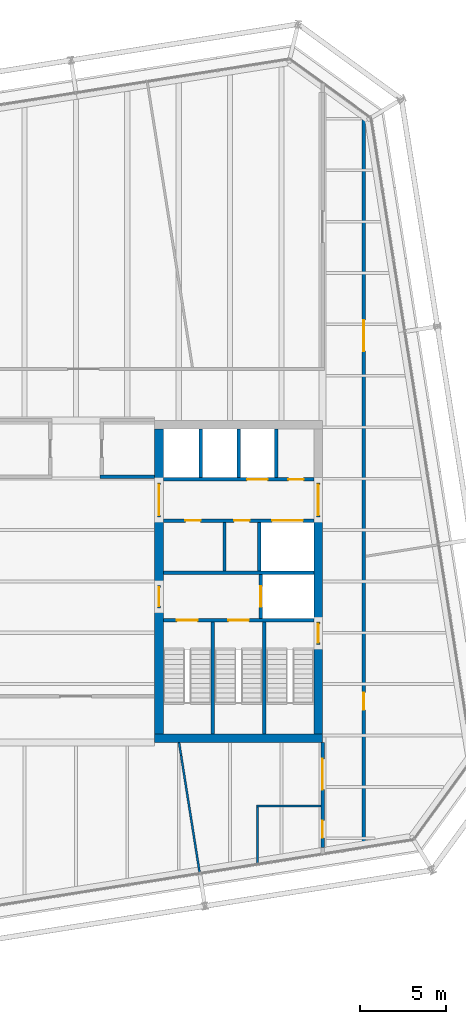
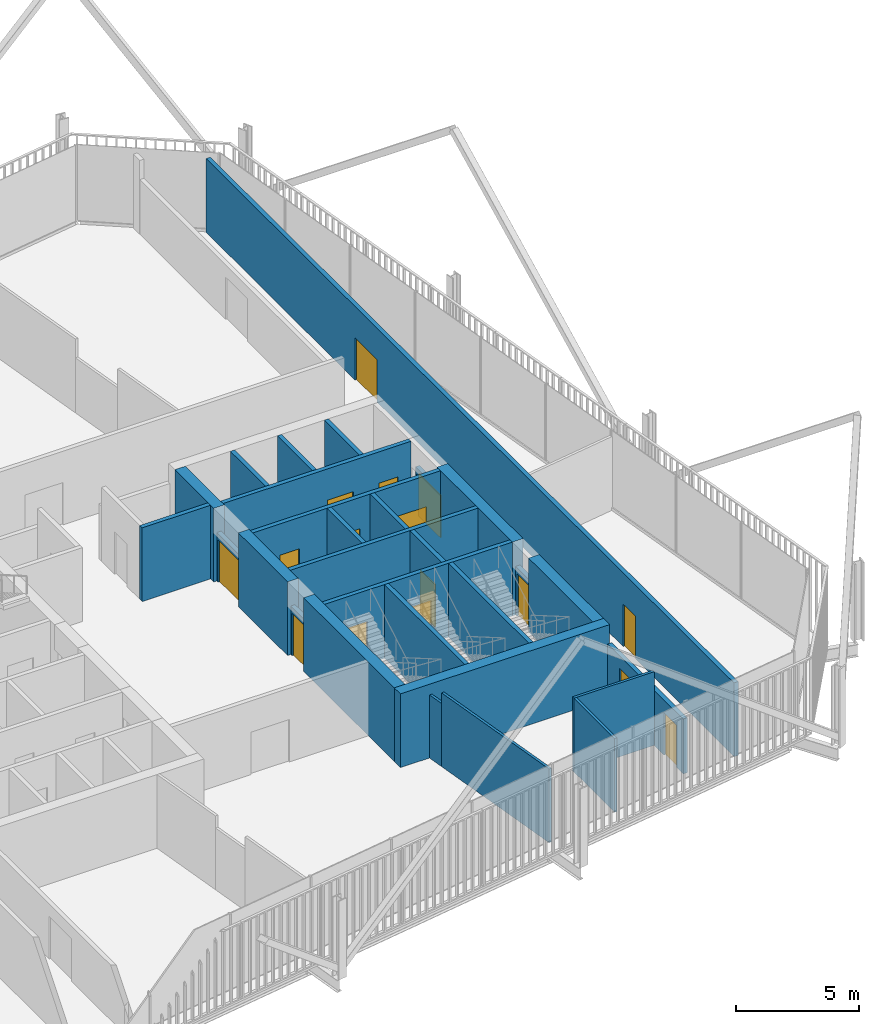
# One storey, part 18 of 21: 29 walls, 16 doors, 16 openings.
"""IFC4 building model written with IfcOpenShell, lengths in metres."""

from ifc_helpers import new_model, si_unit, direction, frame, frame_2d, origin, place, context, subcontext, project, spatial, rectangle, extrude, material, layer, layer_set, type_object, element, fill, save


model = new_model("IFC4")

# Units and contexts
model_context = context("Model", 3, precision=1e-05, world=origin(), true_north=direction((0.0, 1.0)))
body_context = subcontext(model_context, "Body", "Model", "MODEL_VIEW")
ifc_project = project(units=[si_unit("LENGTHUNIT", "METRE"), si_unit("AREAUNIT", "SQUARE_METRE"), si_unit("VOLUMEUNIT", "CUBIC_METRE"), si_unit("PLANEANGLEUNIT", "RADIAN"), si_unit("MASSUNIT", "GRAM", prefix="KILO")], contexts=[model_context])

# Site, building, storey
site_placement = place(None, origin())
site = spatial("IfcSite", under=ifc_project, at=site_placement, CompositionType="ELEMENT")
building_placement = place(site_placement, origin())
building = spatial("IfcBuilding", under=site, at=building_placement, Name="Millrace Tower", CompositionType="ELEMENT")
storey_placement = place(building_placement, frame((0.0, 0.0, 235.89990234375)))
storey = spatial("IfcBuildingStorey", under=building, at=storey_placement, Name="L54", CompositionType="ELEMENT", Elevation=235.89990234375)

# Walls
ifc_material_1 = material(Name="Concrete C60", Category="concrete")
ifc_layer_1 = layer(ifc_material_1, 0.5)
ifc_layer_set_1 = layer_set([ifc_layer_1], Name="Concrete C60")
wall_type_1 = type_object("IfcWallType", Name="Core wall 500 Concrete C60", PredefinedType="SHEAR", material=ifc_layer_set_1)
wall_1_placement = place(storey_placement, frame((14.39990234375, -9.14990234375, 0.0), z_axis=(0.0, 0.0, 1.0), x_axis=(-1.0, 0.0, 0.0)))
element("IfcWall", 1, at=wall_1_placement, inside=storey, type_object=wall_type_1, Name="Core wall E L54", PredefinedType="SHEAR", context=body_context, shape_type="SweptSolid", body=[
    extrude(rectangle(XDim=9.7998046875, YDim=0.5, at=frame_2d((4.89990234375, 0.0))), origin(), (0.0, 0.0, 1.0), 3.650146484375),
])
wall_2_placement = place(storey_placement, frame((14.14990234375, 3.75, 0.0), z_axis=(0.0, 0.0, 1.0), x_axis=(0.0, -1.0, 0.0)))
element("IfcWall", 2, at=wall_2_placement, inside=storey, type_object=wall_type_1, Name="Core wall E L54", PredefinedType="SHEAR", context=body_context, shape_type="SweptSolid", body=[
    extrude(rectangle(XDim=6.1298828125, YDim=0.5, at=frame_2d((3.06494140625, 0.0))), origin(), (0.0, 0.0, 1.0), 3.650146484375),
])
wall_3_placement = place(storey_placement, frame((14.14990234375, -3.679931640625, 0.0), z_axis=(0.0, 0.0, 1.0), x_axis=(0.0, -1.0, 0.0)))
element("IfcWall", 3, at=wall_3_placement, inside=storey, type_object=wall_type_1, Name="Core wall E L54", PredefinedType="SHEAR", context=body_context, shape_type="SweptSolid", body=[
    extrude(rectangle(XDim=5.219970703125, YDim=0.5, at=frame_2d((2.60986328125, 0.0))), origin(), (0.0, 0.0, 1.0), 3.650146484375),
])
wall_4_placement = place(storey_placement, frame((4.85009765625, 8.89990234375, 0.0), z_axis=(0.0, 0.0, 1.0), x_axis=(0.0, -1.0, 0.0)))
element("IfcWall", 4, at=wall_4_placement, inside=storey, type_object=wall_type_1, Name="Core wall E L54", PredefinedType="SHEAR", context=body_context, shape_type="SweptSolid", body=[
    extrude(rectangle(XDim=3.14990234375, YDim=0.5, at=frame_2d((1.574951171875, 0.0))), origin(), (0.0, 0.0, 1.0), 3.650146484375),
])
wall_5_placement = place(storey_placement, frame((4.85009765625, 3.75, 0.0), z_axis=(0.0, 0.0, 1.0), x_axis=(0.0, -1.0, 0.0)))
element("IfcWall", 5, at=wall_5_placement, inside=storey, type_object=wall_type_1, Name="Core wall E L54", PredefinedType="SHEAR", context=body_context, shape_type="SweptSolid", body=[
    extrude(rectangle(XDim=4.0, YDim=0.5, at=frame_2d((2.0, 0.0))), origin(), (0.0, 0.0, 1.0), 3.650146484375),
])
wall_6_placement = place(storey_placement, frame((4.85009765625, -1.550048828125, 0.0), z_axis=(0.0, 0.0, 1.0), x_axis=(0.0, -1.0, 0.0)))
element("IfcWall", 6, at=wall_6_placement, inside=storey, type_object=wall_type_1, Name="Core wall E L54", PredefinedType="SHEAR", context=body_context, shape_type="SweptSolid", body=[
    extrude(rectangle(XDim=7.349853515625, YDim=0.5, at=frame_2d((3.6748046875, 0.0))), origin(), (0.0, 0.0, 1.0), 3.650146484375),
])
ifc_material_2 = material(Name="Masonry partition, fire-rated", Category="masonry")
ifc_layer_2 = layer(ifc_material_2, 0.199951171875)
ifc_layer_set_2 = layer_set([ifc_layer_2], Name="Masonry partition, fire-rated")
wall_type_2 = type_object("IfcWallType", Name="Corridor wall 200", PredefinedType="PARTITIONING", material=ifc_layer_set_2)
wall_7_placement = place(storey_placement, frame((1.39990234375, 6.10009765625, 0.0), z_axis=(0.0, 0.0, 1.0), x_axis=(1.0, 0.0, 0.0)))
element("IfcWall", 7, at=wall_7_placement, inside=storey, type_object=wall_type_2, Name="Corridor wall L54", PredefinedType="PARTITIONING", context=body_context, shape_type="SweptSolid", body=[
    extrude(rectangle(XDim=3.2001953125, YDim=0.199951171875, at=frame_2d((1.60009765625, 0.0))), origin(), (0.0, 0.0, 1.0), 3.650146484375),
])

# Wall, openings, doors
wall_8_placement = place(storey_placement, frame((16.800048828125, -15.494384765625, 0.0), z_axis=(0.0, 0.0, 1.0), x_axis=(0.0, 1.0, 0.0)))
wall_8 = element("IfcWall", 8, at=wall_8_placement, inside=storey, type_object=wall_type_2, Name="Corridor wall L54", PredefinedType="PARTITIONING", context=body_context, shape_type="SweptSolid", body=[
    extrude(rectangle(XDim=42.80859375, YDim=0.199951171875, at=frame_2d((21.404296875, 0.0))), origin(), (0.0, 0.0, 1.0), 3.650146484375),
])
opening_1_placement = place(wall_8_placement, frame((7.994384765625, 0.0, 0.0)))
opening_1 = element("IfcOpeningElement", 9, at=opening_1_placement, cuts=wall_8, Name="Opening 54-P010", PredefinedType="OPENING", context=body_context, shape_type="SweptSolid", body=[
    extrude(rectangle(XDim=1.0, YDim=2.10009765625, at=frame_2d((0.5, 1.050048828125))), frame((0.0, 0.10986328125, 0.0), z_axis=(0.0, -1.0, 0.0), x_axis=(1.0, 0.0, 0.0)), (0.0, 0.0, 1.0), 0.219970703125),
])
opening_2_placement = place(wall_8_placement, frame((28.9423828125, 0.0, 0.0)))
opening_2 = element("IfcOpeningElement", 10, at=opening_2_placement, cuts=wall_8, Name="Opening 54-P011", PredefinedType="OPENING", context=body_context, shape_type="SweptSolid", body=[
    extrude(rectangle(XDim=1.800048828125, YDim=2.10009765625, at=frame_2d((0.89990234375, 1.050048828125))), frame((0.0, 0.10986328125, 0.0), z_axis=(0.0, -1.0, 0.0), x_axis=(1.0, 0.0, 0.0)), (0.0, 0.0, 1.0), 0.219970703125),
])
ifc_material_3 = material(Name="Steel door set, fire-rated", Category="steel")
door_type_1 = type_object("IfcDoorType", Name="Corridor door 1000 x 2100", OperationType="SINGLE_SWING_LEFT", PredefinedType="DOOR", material=ifc_material_3)
door_1_placement = place(opening_1_placement, frame((1.0, 0.0, 0.0), z_axis=(0.0, 0.0, 1.0), x_axis=(-1.0, 0.0, 0.0)))
door_1 = element("IfcDoor", 11, at=door_1_placement, inside=storey, type_object=door_type_1, Name="Door 54-P010", OperationType="SINGLE_SWING_RIGHT", OverallHeight=2.10009765625, OverallWidth=1.0, PredefinedType="DOOR", context=body_context, shape_type="SweptSolid", body=[
    extrude(rectangle(XDim=1.0, YDim=2.10009765625, at=frame_2d((0.5, 1.050048828125))), frame((0.0, 0.02490234375, 0.0), z_axis=(0.0, -1.0, 0.0), x_axis=(1.0, 0.0, 0.0)), (0.0, 0.0, 1.0), 0.050048828125),
])
fill(opening_1, door_1)
ifc_material_4 = material(Name="Steel door set, fire-rated", Category="steel")
door_type_2 = type_object("IfcDoorType", Name="Corridor door 1800 x 2100", OperationType="DOUBLE_DOOR_SINGLE_SWING", PredefinedType="DOOR", material=ifc_material_4)
door_2_placement = place(opening_2_placement, frame((1.800048828125, 0.0, 0.0), z_axis=(0.0, 0.0, 1.0), x_axis=(-1.0, 0.0, 0.0)))
door_2 = element("IfcDoor", 12, at=door_2_placement, inside=storey, type_object=door_type_2, Name="Door 54-P011", OperationType="DOUBLE_DOOR_SINGLE_SWING", OverallHeight=2.10009765625, OverallWidth=1.800048828125, PredefinedType="DOOR", context=body_context, shape_type="SweptSolid", body=[
    extrude(rectangle(XDim=1.800048828125, YDim=2.10009765625, at=frame_2d((0.89990234375, 1.050048828125))), frame((0.0, 0.02490234375, 0.0), z_axis=(0.0, -1.0, 0.0), x_axis=(1.0, 0.0, 0.0)), (0.0, 0.0, 1.0), 0.050048828125),
])
fill(opening_2, door_2)

wall_9_placement = place(storey_placement, frame((14.39990234375, -15.52490234375, 0.0), z_axis=(0.0, 0.0, 1.0), x_axis=(0.0, 1.0, 0.0)))
wall_9 = element("IfcWall", 13, at=wall_9_placement, inside=storey, type_object=wall_type_2, Name="Corridor wall L54", PredefinedType="PARTITIONING", context=body_context, shape_type="SweptSolid", body=[
    extrude(rectangle(XDim=6.125, YDim=0.199951171875, at=frame_2d((3.0625, 0.0))), origin(), (0.0, 0.0, 1.0), 2.722900390625),
])
opening_3_placement = place(wall_9_placement, frame((3.363037109375, 0.0, 0.0)))
opening_3 = element("IfcOpeningElement", 14, at=opening_3_placement, cuts=wall_9, Name="Opening 54-P014", PredefinedType="OPENING", context=body_context, shape_type="SweptSolid", body=[
    extrude(rectangle(XDim=1.800048828125, YDim=2.10009765625, at=frame_2d((0.89990234375, 1.050048828125))), frame((0.0, 0.10986328125, 0.0), z_axis=(0.0, -1.0, 0.0), x_axis=(1.0, 0.0, 0.0)), (0.0, 0.0, 1.0), 0.219970703125),
])
opening_4_placement = place(wall_9_placement, frame((0.551025390625, 0.0, 0.0)))
opening_4 = element("IfcOpeningElement", 15, at=opening_4_placement, cuts=wall_9, Name="Opening 54-P015", PredefinedType="OPENING", context=body_context, shape_type="SweptSolid", body=[
    extrude(rectangle(XDim=1.0, YDim=2.10009765625, at=frame_2d((0.5, 1.050048828125))), frame((0.0, 0.10986328125, 0.0), z_axis=(0.0, -1.0, 0.0), x_axis=(1.0, 0.0, 0.0)), (0.0, 0.0, 1.0), 0.219970703125),
])
door_3_placement = place(opening_4_placement, origin())
door_3 = element("IfcDoor", 16, at=door_3_placement, inside=storey, type_object=door_type_1, Name="Door 54-P015", OperationType="SINGLE_SWING_LEFT", OverallHeight=2.10009765625, OverallWidth=1.0, PredefinedType="DOOR", context=body_context, shape_type="SweptSolid", body=[
    extrude(rectangle(XDim=1.0, YDim=2.10009765625, at=frame_2d((0.5, 1.050048828125))), frame((0.0, 0.02490234375, 0.0), z_axis=(0.0, -1.0, 0.0), x_axis=(1.0, 0.0, 0.0)), (0.0, 0.0, 1.0), 0.050048828125),
])
fill(opening_4, door_3)
door_4_placement = place(opening_3_placement, origin())
door_4 = element("IfcDoor", 17, at=door_4_placement, inside=storey, type_object=door_type_2, Name="Door 54-P014", OperationType="DOUBLE_DOOR_SINGLE_SWING", OverallHeight=2.10009765625, OverallWidth=1.800048828125, PredefinedType="DOOR", context=body_context, shape_type="SweptSolid", body=[
    extrude(rectangle(XDim=1.800048828125, YDim=2.10009765625, at=frame_2d((0.89990234375, 1.050048828125))), frame((0.0, 0.02490234375, 0.0), z_axis=(0.0, -1.0, 0.0), x_axis=(1.0, 0.0, 0.0)), (0.0, 0.0, 1.0), 0.050048828125),
])
fill(opening_3, door_4)

ifc_material_5 = material(Name="Masonry partition, fire-rated", Category="masonry")
ifc_layer_3 = layer(ifc_material_5, 0.199951171875)
ifc_layer_set_3 = layer_set([ifc_layer_3], Name="Masonry partition, fire-rated")
wall_type_3 = type_object("IfcWallType", Name="Lift shaft wall 200", PredefinedType="PARTITIONING", material=ifc_layer_set_3)
wall_10_placement = place(storey_placement, frame((13.89990234375, 5.949951171875, 0.0), z_axis=(0.0, 0.0, 1.0), x_axis=(-1.0, 0.0, 0.0)))
wall_10 = element("IfcWall", 18, at=wall_10_placement, inside=storey, type_object=wall_type_3, Name="Lift shaft wall E L54", PredefinedType="PARTITIONING", context=body_context, shape_type="SweptSolid", body=[
    extrude(rectangle(XDim=8.7998046875, YDim=0.199951171875, at=frame_2d((4.39990234375, 0.0))), origin(), (0.0, 0.0, 1.0), 3.650146484375),
])
opening_5_placement = place(wall_10_placement, frame((2.699951171875, 0.0, 0.0)))
opening_5 = element("IfcOpeningElement", 19, at=opening_5_placement, cuts=wall_10, Name="Opening 54-LD10", PredefinedType="OPENING", context=body_context, shape_type="SweptSolid", body=[
    extrude(rectangle(XDim=1.199951171875, YDim=2.10009765625, at=frame_2d((0.60009765625, 1.050048828125))), frame((0.0, 0.10986328125, 0.0), z_axis=(0.0, -1.0, 0.0), x_axis=(1.0, 0.0, 0.0)), (0.0, 0.0, 1.0), 0.219970703125),
])
opening_6_placement = place(wall_10_placement, frame((0.60009765625, 0.0, 0.0)))
opening_6 = element("IfcOpeningElement", 20, at=opening_6_placement, cuts=wall_10, Name="Opening 54-C014", PredefinedType="OPENING", context=body_context, shape_type="SweptSolid", body=[
    extrude(rectangle(XDim=0.89990234375, YDim=2.10009765625, at=frame_2d((0.449951171875, 1.050048828125))), frame((0.0, 0.10986328125, 0.0), z_axis=(0.0, -1.0, 0.0), x_axis=(1.0, 0.0, 0.0)), (0.0, 0.0, 1.0), 0.219970703125),
])
ifc_material_6 = material(Name="Stainless steel, fire-rated", Category="steel")
door_type_3 = type_object("IfcDoorType", Name="Lift landing door 1200 x 2100", OperationType="DOUBLE_DOOR_SLIDING", PredefinedType="DOOR", material=ifc_material_6)
door_5_placement = place(opening_5_placement, origin())
door_5 = element("IfcDoor", 21, at=door_5_placement, inside=storey, type_object=door_type_3, Name="Lift landing door LF10 L54", OperationType="DOUBLE_DOOR_SLIDING", OverallHeight=2.10009765625, OverallWidth=1.199951171875, PredefinedType="DOOR", context=body_context, shape_type="SweptSolid", body=[
    extrude(rectangle(XDim=1.199951171875, YDim=2.10009765625, at=frame_2d((0.60009765625, 1.050048828125))), frame((0.0, 0.02490234375, 0.0), z_axis=(0.0, -1.0, 0.0), x_axis=(1.0, 0.0, 0.0)), (0.0, 0.0, 1.0), 0.050048828125),
])
fill(opening_5, door_5)
ifc_material_7 = material(Name="Steel door, fire-rated", Category="steel")
door_type_4 = type_object("IfcDoorType", Name="Service room door 900 x 2100", OperationType="SINGLE_SWING_LEFT", PredefinedType="DOOR", material=ifc_material_7)
door_6_placement = place(opening_6_placement, frame((0.89990234375, 0.0, 0.0), z_axis=(0.0, 0.0, 1.0), x_axis=(-1.0, 0.0, 0.0)))
door_6 = element("IfcDoor", 22, at=door_6_placement, inside=storey, type_object=door_type_4, Name="Service room door 54-C014", OperationType="SINGLE_SWING_RIGHT", OverallHeight=2.10009765625, OverallWidth=0.89990234375, PredefinedType="DOOR", context=body_context, shape_type="SweptSolid", body=[
    extrude(rectangle(XDim=0.89990234375, YDim=2.10009765625, at=frame_2d((0.449951171875, 1.050048828125))), frame((0.0, 0.02490234375, 0.0), z_axis=(0.0, -1.0, 0.0), x_axis=(1.0, 0.0, 0.0)), (0.0, 0.0, 1.0), 0.050048828125),
])
fill(opening_6, door_6)

wall_11_placement = place(storey_placement, frame((13.89990234375, 3.550048828125, 0.0), z_axis=(0.0, 0.0, 1.0), x_axis=(-1.0, 0.0, 0.0)))
wall_11 = element("IfcWall", 23, at=wall_11_placement, inside=storey, type_object=wall_type_3, Name="Lift shaft wall E L54", PredefinedType="PARTITIONING", context=body_context, shape_type="SweptSolid", body=[
    extrude(rectangle(XDim=8.7998046875, YDim=0.199951171875, at=frame_2d((4.39990234375, 0.0))), origin(), (0.0, 0.0, 1.0), 3.650146484375),
])
opening_7_placement = place(wall_11_placement, frame((0.64990234375, 0.0, 0.0)))
opening_7 = element("IfcOpeningElement", 24, at=opening_7_placement, cuts=wall_11, Name="Opening 54-LD13", PredefinedType="OPENING", context=body_context, shape_type="SweptSolid", body=[
    extrude(rectangle(XDim=1.800048828125, YDim=2.10009765625, at=frame_2d((0.89990234375, 1.050048828125))), frame((0.0, 0.10986328125, 0.0), z_axis=(0.0, -1.0, 0.0), x_axis=(1.0, 0.0, 0.0)), (0.0, 0.0, 1.0), 0.219970703125),
])
opening_8_placement = place(wall_11_placement, frame((3.762451171875, 0.0, 0.0)))
opening_8 = element("IfcOpeningElement", 25, at=opening_8_placement, cuts=wall_11, Name="Opening 54-C015", PredefinedType="OPENING", context=body_context, shape_type="SweptSolid", body=[
    extrude(rectangle(XDim=0.89990234375, YDim=2.10009765625, at=frame_2d((0.449951171875, 1.050048828125))), frame((0.0, 0.10986328125, 0.0), z_axis=(0.0, -1.0, 0.0), x_axis=(1.0, 0.0, 0.0)), (0.0, 0.0, 1.0), 0.219970703125),
])
opening_9_placement = place(wall_11_placement, frame((6.612548828125, 0.0, 0.0)))
opening_9 = element("IfcOpeningElement", 26, at=opening_9_placement, cuts=wall_11, Name="Opening 54-C016", PredefinedType="OPENING", context=body_context, shape_type="SweptSolid", body=[
    extrude(rectangle(XDim=0.89990234375, YDim=2.10009765625, at=frame_2d((0.449951171875, 1.050048828125))), frame((0.0, 0.10986328125, 0.0), z_axis=(0.0, -1.0, 0.0), x_axis=(1.0, 0.0, 0.0)), (0.0, 0.0, 1.0), 0.219970703125),
])
ifc_material_8 = material(Name="Stainless steel, fire-rated", Category="steel")
door_type_5 = type_object("IfcDoorType", Name="Lift landing door 1800 x 2100", OperationType="DOUBLE_DOOR_SLIDING", PredefinedType="DOOR", material=ifc_material_8)
door_7_placement = place(opening_7_placement, origin())
door_7 = element("IfcDoor", 27, at=door_7_placement, inside=storey, type_object=door_type_5, Name="Lift landing door LF13 L54", OperationType="DOUBLE_DOOR_SLIDING", OverallHeight=2.10009765625, OverallWidth=1.800048828125, PredefinedType="DOOR", context=body_context, shape_type="SweptSolid", body=[
    extrude(rectangle(XDim=1.800048828125, YDim=2.10009765625, at=frame_2d((0.89990234375, 1.050048828125))), frame((0.0, 0.02490234375, 0.0), z_axis=(0.0, -1.0, 0.0), x_axis=(1.0, 0.0, 0.0)), (0.0, 0.0, 1.0), 0.050048828125),
])
fill(opening_7, door_7)
door_8_placement = place(opening_8_placement, origin())
door_8 = element("IfcDoor", 28, at=door_8_placement, inside=storey, type_object=door_type_4, Name="Service room door 54-C015", OperationType="SINGLE_SWING_LEFT", OverallHeight=2.10009765625, OverallWidth=0.89990234375, PredefinedType="DOOR", context=body_context, shape_type="SweptSolid", body=[
    extrude(rectangle(XDim=0.89990234375, YDim=2.10009765625, at=frame_2d((0.449951171875, 1.050048828125))), frame((0.0, 0.02490234375, 0.0), z_axis=(0.0, -1.0, 0.0), x_axis=(1.0, 0.0, 0.0)), (0.0, 0.0, 1.0), 0.050048828125),
])
fill(opening_8, door_8)
door_9_placement = place(opening_9_placement, origin())
door_9 = element("IfcDoor", 29, at=door_9_placement, inside=storey, type_object=door_type_4, Name="Service room door 54-C016", OperationType="SINGLE_SWING_RIGHT", OverallHeight=2.10009765625, OverallWidth=0.89990234375, PredefinedType="DOOR", context=body_context, shape_type="SweptSolid", body=[
    extrude(rectangle(XDim=0.89990234375, YDim=2.10009765625, at=frame_2d((0.449951171875, 1.050048828125))), frame((0.0, 0.02490234375, 0.0), z_axis=(0.0, -1.0, 0.0), x_axis=(1.0, 0.0, 0.0)), (0.0, 0.0, 1.0), 0.050048828125),
])
fill(opening_9, door_9)

# Wall
wall_12_placement = place(storey_placement, frame((13.89990234375, 0.5, 0.0), z_axis=(0.0, 0.0, 1.0), x_axis=(-1.0, 0.0, 0.0)))
element("IfcWall", 30, at=wall_12_placement, inside=storey, type_object=wall_type_3, Name="Lift shaft wall E L54", PredefinedType="PARTITIONING", context=body_context, shape_type="SweptSolid", body=[
    extrude(rectangle(XDim=8.7998046875, YDim=0.199951171875, at=frame_2d((4.39990234375, 0.0))), origin(), (0.0, 0.0, 1.0), 3.650146484375),
])

# Wall, opening, door
wall_13_placement = place(storey_placement, frame((10.800048828125, 0.39990234375, 0.0), z_axis=(0.0, 0.0, 1.0), x_axis=(0.0, -1.0, 0.0)))
wall_13 = element("IfcWall", 31, at=wall_13_placement, inside=storey, type_object=wall_type_3, Name="Lift shaft wall E L54", PredefinedType="PARTITIONING", context=body_context, shape_type="SweptSolid", body=[
    extrude(rectangle(XDim=2.579833984375, YDim=0.199951171875, at=frame_2d((1.2900390625, 0.0))), origin(), (0.0, 0.0, 1.0), 3.650146484375),
])
opening_10_placement = place(wall_13_placement, frame((0.68994140625, 0.0, 0.0)))
opening_10 = element("IfcOpeningElement", 32, at=opening_10_placement, cuts=wall_13, Name="Opening 54-LD16", PredefinedType="OPENING", context=body_context, shape_type="SweptSolid", body=[
    extrude(rectangle(XDim=1.199951171875, YDim=2.10009765625, at=frame_2d((0.60009765625, 1.050048828125))), frame((0.0, 0.10986328125, 0.0), z_axis=(0.0, -1.0, 0.0), x_axis=(1.0, 0.0, 0.0)), (0.0, 0.0, 1.0), 0.219970703125),
])
door_10_placement = place(opening_10_placement, origin())
door_10 = element("IfcDoor", 33, at=door_10_placement, inside=storey, type_object=door_type_3, Name="Lift landing door LF16 L54", OperationType="DOUBLE_DOOR_SLIDING", OverallHeight=2.10009765625, OverallWidth=1.199951171875, PredefinedType="DOOR", context=body_context, shape_type="SweptSolid", body=[
    extrude(rectangle(XDim=1.199951171875, YDim=2.10009765625, at=frame_2d((0.60009765625, 1.050048828125))), frame((0.0, 0.02490234375, 0.0), z_axis=(0.0, -1.0, 0.0), x_axis=(1.0, 0.0, 0.0)), (0.0, 0.0, 1.0), 0.050048828125),
])
fill(opening_10, door_10)

# Walls
for number, where, z_axis, x_axis, name in (
    (34, (11.699951171875, 8.89990234375, 0.0), (0.0, 0.0, 1.0), (0.0, -1.0, 0.0), "Lift shaft wall E L54"),
    (35, (9.5, 8.89990234375, 0.0), (0.0, 0.0, 1.0), (0.0, -1.0, 0.0), "Lift shaft wall E L54"),
    (36, (7.300048828125, 8.89990234375, 0.0), (0.0, 0.0, 1.0), (0.0, -1.0, 0.0), "Lift shaft wall E L54"),
    (37, (10.699951171875, 3.449951171875, 0.0), (0.0, 0.0, 1.0), (0.0, -1.0, 0.0), "Lift shaft wall E L54"),
):
    element("IfcWall", number, at=place(storey_placement, frame(where, z_axis=z_axis, x_axis=x_axis)), inside=storey, type_object=wall_type_3, Name=name, PredefinedType="PARTITIONING", context=body_context, shape_type="SweptSolid", body=[
        extrude(rectangle(XDim=2.849853515625, YDim=0.199951171875, at=frame_2d((1.4248046875, 0.0))), origin(), (0.0, 0.0, 1.0), 3.650146484375),
    ])

# Wall, opening, door
ifc_material_9 = material(Name="Masonry partition, fire-rated", Category="masonry")
ifc_layer_4 = layer(ifc_material_9, 0.199951171875)
ifc_layer_set_4 = layer_set([ifc_layer_4], Name="Masonry partition, fire-rated")
wall_type_4 = type_object("IfcWallType", Name="Lobby wall 200", PredefinedType="PARTITIONING", material=ifc_layer_set_4)
wall_14_placement = place(storey_placement, frame((14.14990234375, 5.75, 0.0), z_axis=(0.0, 0.0, 1.0), x_axis=(0.0, -1.0, 0.0)))
wall_14 = element("IfcWall", 38, at=wall_14_placement, inside=storey, type_object=wall_type_4, Name="Lobby wall E L54", PredefinedType="PARTITIONING", context=body_context, shape_type="SweptSolid", body=[
    extrude(rectangle(XDim=2.0, YDim=0.199951171875, at=frame_2d((1.0, 0.0))), origin(), (0.0, 0.0, 1.0), 2.400146484375),
])
opening_11_placement = place(wall_14_placement, frame((0.10009765625, 0.0, 0.0)))
opening_11 = element("IfcOpeningElement", 39, at=opening_11_placement, cuts=wall_14, Name="Opening 54-C010", PredefinedType="OPENING", context=body_context, shape_type="SweptSolid", body=[
    extrude(rectangle(XDim=1.800048828125, YDim=2.10009765625, at=frame_2d((0.89990234375, 1.050048828125))), frame((0.0, 0.10986328125, 0.0), z_axis=(0.0, -1.0, 0.0), x_axis=(1.0, 0.0, 0.0)), (0.0, 0.0, 1.0), 0.219970703125),
])
ifc_material_10 = material(Name="Steel door, fire-rated", Category="steel")
door_type_6 = type_object("IfcDoorType", Name="Lobby door 1800 x 2100", OperationType="DOUBLE_DOOR_SINGLE_SWING", PredefinedType="DOOR", material=ifc_material_10)
door_11_placement = place(opening_11_placement, origin())
door_11 = element("IfcDoor", 40, at=door_11_placement, inside=storey, type_object=door_type_6, Name="Lobby door 54-C010", OperationType="DOUBLE_DOOR_SINGLE_SWING", OverallHeight=2.10009765625, OverallWidth=1.800048828125, PredefinedType="DOOR", context=body_context, shape_type="SweptSolid", body=[
    extrude(rectangle(XDim=1.800048828125, YDim=2.10009765625, at=frame_2d((0.89990234375, 1.050048828125))), frame((0.0, 0.02490234375, 0.0), z_axis=(0.0, -1.0, 0.0), x_axis=(1.0, 0.0, 0.0)), (0.0, 0.0, 1.0), 0.050048828125),
])
fill(opening_11, door_11)

wall_15_placement = place(storey_placement, frame((4.85009765625, 5.75, 0.0), z_axis=(0.0, 0.0, 1.0), x_axis=(0.0, -1.0, 0.0)))
wall_15 = element("IfcWall", 41, at=wall_15_placement, inside=storey, type_object=wall_type_4, Name="Lobby wall E L54", PredefinedType="PARTITIONING", context=body_context, shape_type="SweptSolid", body=[
    extrude(rectangle(XDim=2.0, YDim=0.199951171875, at=frame_2d((1.0, 0.0))), origin(), (0.0, 0.0, 1.0), 2.400146484375),
])
opening_12_placement = place(wall_15_placement, frame((0.10009765625, 0.0, 0.0)))
opening_12 = element("IfcOpeningElement", 42, at=opening_12_placement, cuts=wall_15, Name="Opening 54-C012", PredefinedType="OPENING", context=body_context, shape_type="SweptSolid", body=[
    extrude(rectangle(XDim=1.800048828125, YDim=2.10009765625, at=frame_2d((0.89990234375, 1.050048828125))), frame((0.0, 0.10986328125, 0.0), z_axis=(0.0, -1.0, 0.0), x_axis=(1.0, 0.0, 0.0)), (0.0, 0.0, 1.0), 0.219970703125),
])
door_12_placement = place(opening_12_placement, frame((1.800048828125, 0.0, 0.0), z_axis=(0.0, 0.0, 1.0), x_axis=(-1.0, 0.0, 0.0)))
door_12 = element("IfcDoor", 43, at=door_12_placement, inside=storey, type_object=door_type_6, Name="Lobby door 54-C012", OperationType="DOUBLE_DOOR_SINGLE_SWING", OverallHeight=2.10009765625, OverallWidth=1.800048828125, PredefinedType="DOOR", context=body_context, shape_type="SweptSolid", body=[
    extrude(rectangle(XDim=1.800048828125, YDim=2.10009765625, at=frame_2d((0.89990234375, 1.050048828125))), frame((0.0, 0.02490234375, 0.0), z_axis=(0.0, -1.0, 0.0), x_axis=(1.0, 0.0, 0.0)), (0.0, 0.0, 1.0), 0.050048828125),
])
fill(opening_12, door_12)

wall_16_placement = place(storey_placement, frame((4.85009765625, -0.25, 0.0), z_axis=(0.0, 0.0, 1.0), x_axis=(0.0, -1.0, 0.0)))
wall_16 = element("IfcWall", 44, at=wall_16_placement, inside=storey, type_object=wall_type_4, Name="Lobby wall E L54", PredefinedType="PARTITIONING", context=body_context, shape_type="SweptSolid", body=[
    extrude(rectangle(XDim=1.300048828125, YDim=0.199951171875, at=frame_2d((0.64990234375, 0.0))), origin(), (0.0, 0.0, 1.0), 2.400146484375),
])
opening_13_placement = place(wall_16_placement, frame((0.10009765625, 0.0, 0.0)))
opening_13 = element("IfcOpeningElement", 45, at=opening_13_placement, cuts=wall_16, Name="Opening 54-C013", PredefinedType="OPENING", context=body_context, shape_type="SweptSolid", body=[
    extrude(rectangle(XDim=1.10009765625, YDim=2.10009765625, at=frame_2d((0.550048828125, 1.050048828125))), frame((0.0, 0.10986328125, 0.0), z_axis=(0.0, -1.0, 0.0), x_axis=(1.0, 0.0, 0.0)), (0.0, 0.0, 1.0), 0.219970703125),
])
ifc_material_11 = material(Name="Steel door, fire-rated", Category="steel")
door_type_7 = type_object("IfcDoorType", Name="Lobby door 1100 x 2100", OperationType="SINGLE_SWING_LEFT", PredefinedType="DOOR", material=ifc_material_11)
door_13_placement = place(opening_13_placement, frame((1.10009765625, 0.0, 0.0), z_axis=(0.0, 0.0, 1.0), x_axis=(-1.0, 0.0, 0.0)))
door_13 = element("IfcDoor", 46, at=door_13_placement, inside=storey, type_object=door_type_7, Name="Lobby door 54-C013", OperationType="SINGLE_SWING_RIGHT", OverallHeight=2.10009765625, OverallWidth=1.10009765625, PredefinedType="DOOR", context=body_context, shape_type="SweptSolid", body=[
    extrude(rectangle(XDim=1.10009765625, YDim=2.10009765625, at=frame_2d((0.550048828125, 1.050048828125))), frame((0.0, 0.02490234375, 0.0), z_axis=(0.0, -1.0, 0.0), x_axis=(1.0, 0.0, 0.0)), (0.0, 0.0, 1.0), 0.050048828125),
])
fill(opening_13, door_13)

# Walls
ifc_material_12 = material(Name="Gypsum board partition")
ifc_layer_5 = layer(ifc_material_12, 0.1201171875)
ifc_layer_set_5 = layer_set([ifc_layer_5], Name="Gypsum board partition")
wall_type_5 = type_object("IfcWallType", Name="Partition wall 120", PredefinedType="PARTITIONING", material=ifc_layer_set_5)
wall_17_placement = place(storey_placement, frame((6.02001953125, -9.39990234375, 0.0), z_axis=(0.0, 0.0, 1.0), x_axis=(0.1563648424, -0.987699365223, 0.0)))
element("IfcWall", 47, at=wall_17_placement, inside=storey, type_object=wall_type_5, Name="Partition wall L54", PredefinedType="PARTITIONING", context=body_context, shape_type="SweptSolid", body=[
    extrude(rectangle(XDim=0.779052734375, YDim=0.1201171875, at=frame_2d((0.3896484375, 0.0))), origin(), (0.0, 0.0, 1.0), 3.124267578125),
])
wall_18_placement = place(storey_placement, frame((6.141845703125, -10.16943359375, 0.0), z_axis=(0.0, 0.0, 1.0), x_axis=(0.156351697361, -0.987701446153, 0.0)))
element("IfcWall", 48, at=wall_18_placement, inside=storey, type_object=wall_type_5, Name="Partition wall L54", PredefinedType="PARTITIONING", context=body_context, shape_type="SweptSolid", body=[
    extrude(rectangle(XDim=6.9267578125, YDim=0.1201171875, at=frame_2d((3.46337890625, 0.0))), origin(), (0.0, 0.0, 1.0), 3.650146484375),
])
wall_19_placement = place(storey_placement, frame((10.5400390625, -13.1240234375, 0.0), z_axis=(0.0, 0.0, 1.0), x_axis=(1.0, 0.0, 0.0)))
element("IfcWall", 49, at=wall_19_placement, inside=storey, type_object=wall_type_5, Name="Partition wall L54", PredefinedType="PARTITIONING", context=body_context, shape_type="SweptSolid", body=[
    extrude(rectangle(XDim=3.760009765625, YDim=0.1201171875, at=frame_2d((1.8798828125, 0.0))), origin(), (0.0, 0.0, 1.0), 3.650146484375),
])
wall_20_placement = place(storey_placement, frame((10.60009765625, -16.476318359375, 0.0), z_axis=(0.0, 0.0, 1.0), x_axis=(0.0, 1.0, 0.0)))
element("IfcWall", 50, at=wall_20_placement, inside=storey, type_object=wall_type_5, Name="Partition wall L54", PredefinedType="PARTITIONING", context=body_context, shape_type="SweptSolid", body=[
    extrude(rectangle(XDim=3.292236328125, YDim=0.1201171875, at=frame_2d((1.64599609375, 0.0))), origin(), (0.0, 0.0, 1.0), 3.650146484375),
])
ifc_material_13 = material(Name="Masonry partition, fire-rated", Category="masonry")
ifc_layer_6 = layer(ifc_material_13, 0.199951171875)
ifc_layer_set_6 = layer_set([ifc_layer_6], Name="Masonry partition, fire-rated")
wall_type_6 = type_object("IfcWallType", Name="Room partition 200", PredefinedType="PARTITIONING", material=ifc_layer_set_6)
wall_21_placement = place(storey_placement, frame((8.675048828125, 3.449951171875, 0.0), z_axis=(0.0, 0.0, 1.0), x_axis=(0.0, -1.0, 0.0)))
element("IfcWall", 51, at=wall_21_placement, inside=storey, type_object=wall_type_6, Name="Room partition E L54", PredefinedType="PARTITIONING", context=body_context, shape_type="SweptSolid", body=[
    extrude(rectangle(XDim=2.849853515625, YDim=0.199951171875, at=frame_2d((1.4248046875, 0.0))), origin(), (0.0, 0.0, 1.0), 3.650146484375),
])

# Wall, opening, door
ifc_material_14 = material(Name="Concrete C40", Category="concrete")
ifc_layer_7 = layer(ifc_material_14, 0.199951171875)
ifc_layer_set_7 = layer_set([ifc_layer_7], Name="Concrete C40")
wall_type_7 = type_object("IfcWallType", Name="Stair enclosure wall 200 Concrete C40", PredefinedType="SHEAR", material=ifc_layer_set_7)
wall_22_placement = place(storey_placement, frame((14.14990234375, -2.3798828125, 0.0), z_axis=(0.0, 0.0, 1.0), x_axis=(0.0, -1.0, 0.0)))
wall_22 = element("IfcWall", 52, at=wall_22_placement, inside=storey, type_object=wall_type_7, Name="Stair enclosure wall E L54", PredefinedType="SHEAR", context=body_context, shape_type="SweptSolid", body=[
    extrude(rectangle(XDim=1.300048828125, YDim=0.199951171875, at=frame_2d((0.64990234375, 0.0))), origin(), (0.0, 0.0, 1.0), 2.400146484375),
])
opening_14_placement = place(wall_22_placement, frame((0.10009765625, 0.0, 0.0)))
opening_14 = element("IfcOpeningElement", 53, at=opening_14_placement, cuts=wall_22, Name="Opening 54-C011", PredefinedType="OPENING", context=body_context, shape_type="SweptSolid", body=[
    extrude(rectangle(XDim=1.10009765625, YDim=2.10009765625, at=frame_2d((0.550048828125, 1.050048828125))), frame((0.0, 0.10986328125, 0.0), z_axis=(0.0, -1.0, 0.0), x_axis=(1.0, 0.0, 0.0)), (0.0, 0.0, 1.0), 0.219970703125),
])
ifc_material_15 = material(Name="Steel door, fire-rated", Category="steel")
door_type_8 = type_object("IfcDoorType", Name="Stair door 1100 x 2100", OperationType="SINGLE_SWING_LEFT", PredefinedType="DOOR", material=ifc_material_15)
door_14_placement = place(opening_14_placement, origin())
door_14 = element("IfcDoor", 54, at=door_14_placement, inside=storey, type_object=door_type_8, Name="Stair door 54-C011", OperationType="SINGLE_SWING_RIGHT", OverallHeight=2.10009765625, OverallWidth=1.10009765625, PredefinedType="DOOR", context=body_context, shape_type="SweptSolid", body=[
    extrude(rectangle(XDim=1.10009765625, YDim=2.10009765625, at=frame_2d((0.550048828125, 1.050048828125))), frame((0.0, 0.02490234375, 0.0), z_axis=(0.0, -1.0, 0.0), x_axis=(1.0, 0.0, 0.0)), (0.0, 0.0, 1.0), 0.050048828125),
])
fill(opening_14, door_14)

# Wall, openings, doors
wall_23_placement = place(storey_placement, frame((13.89990234375, -2.280029296875, 0.0), z_axis=(0.0, 0.0, 1.0), x_axis=(-1.0, 0.0, 0.0)))
wall_23 = element("IfcWall", 55, at=wall_23_placement, inside=storey, type_object=wall_type_7, Name="Stair enclosure wall E L54", PredefinedType="SHEAR", context=body_context, shape_type="SweptSolid", body=[
    extrude(rectangle(XDim=8.7998046875, YDim=0.199951171875, at=frame_2d((4.39990234375, 0.0))), origin(), (0.0, 0.0, 1.0), 3.650146484375),
])
opening_15_placement = place(wall_23_placement, frame((3.800048828125, 0.0, 0.0)))
opening_15 = element("IfcOpeningElement", 56, at=opening_15_placement, cuts=wall_23, Name="Opening 54-C017", PredefinedType="OPENING", context=body_context, shape_type="SweptSolid", body=[
    extrude(rectangle(XDim=1.199951171875, YDim=2.10009765625, at=frame_2d((0.60009765625, 1.050048828125))), frame((0.0, 0.10986328125, 0.0), z_axis=(0.0, -1.0, 0.0), x_axis=(1.0, 0.0, 0.0)), (0.0, 0.0, 1.0), 0.219970703125),
])
opening_16_placement = place(wall_23_placement, frame((6.800048828125, 0.0, 0.0)))
opening_16 = element("IfcOpeningElement", 57, at=opening_16_placement, cuts=wall_23, Name="Opening 54-C018", PredefinedType="OPENING", context=body_context, shape_type="SweptSolid", body=[
    extrude(rectangle(XDim=1.199951171875, YDim=2.10009765625, at=frame_2d((0.60009765625, 1.050048828125))), frame((0.0, 0.10986328125, 0.0), z_axis=(0.0, -1.0, 0.0), x_axis=(1.0, 0.0, 0.0)), (0.0, 0.0, 1.0), 0.219970703125),
])
ifc_material_16 = material(Name="Steel door, fire-rated", Category="steel")
door_type_9 = type_object("IfcDoorType", Name="Stair door 1200 x 2100", OperationType="SINGLE_SWING_LEFT", PredefinedType="DOOR", material=ifc_material_16)
door_15_placement = place(opening_15_placement, frame((1.199951171875, 0.0, 0.0), z_axis=(0.0, 0.0, 1.0), x_axis=(-1.0, 0.0, 0.0)))
door_15 = element("IfcDoor", 58, at=door_15_placement, inside=storey, type_object=door_type_9, Name="Stair door 54-C017", OperationType="SINGLE_SWING_LEFT", OverallHeight=2.10009765625, OverallWidth=1.199951171875, PredefinedType="DOOR", context=body_context, shape_type="SweptSolid", body=[
    extrude(rectangle(XDim=1.199951171875, YDim=2.10009765625, at=frame_2d((0.60009765625, 1.050048828125))), frame((0.0, 0.02490234375, 0.0), z_axis=(0.0, -1.0, 0.0), x_axis=(1.0, 0.0, 0.0)), (0.0, 0.0, 1.0), 0.050048828125),
])
fill(opening_15, door_15)
door_16_placement = place(opening_16_placement, frame((1.199951171875, 0.0, 0.0), z_axis=(0.0, 0.0, 1.0), x_axis=(-1.0, 0.0, 0.0)))
door_16 = element("IfcDoor", 59, at=door_16_placement, inside=storey, type_object=door_type_9, Name="Stair door 54-C018", OperationType="SINGLE_SWING_LEFT", OverallHeight=2.10009765625, OverallWidth=1.199951171875, PredefinedType="DOOR", context=body_context, shape_type="SweptSolid", body=[
    extrude(rectangle(XDim=1.199951171875, YDim=2.10009765625, at=frame_2d((0.60009765625, 1.050048828125))), frame((0.0, 0.02490234375, 0.0), z_axis=(0.0, -1.0, 0.0), x_axis=(1.0, 0.0, 0.0)), (0.0, 0.0, 1.0), 0.050048828125),
])
fill(opening_16, door_16)

# Walls
for number, where, z_axis, x_axis, name in (
    (60, (11.0, -2.3798828125, 0.0), (0.0, 0.0, 1.0), (0.0, -1.0, 0.0), "Stair enclosure wall E L54"),
    (61, (8.0, -2.3798828125, 0.0), (0.0, 0.0, 1.0), (0.0, -1.0, 0.0), "Stair enclosure wall E L54"),
):
    element("IfcWall", number, at=place(storey_placement, frame(where, z_axis=z_axis, x_axis=x_axis)), inside=storey, type_object=wall_type_7, Name=name, PredefinedType="SHEAR", context=body_context, shape_type="SweptSolid", body=[
        extrude(rectangle(XDim=6.52001953125, YDim=0.199951171875, at=frame_2d((3.260009765625, 0.0))), origin(), (0.0, 0.0, 1.0), 3.650146484375),
    ])

save(model, "model.ifc")
